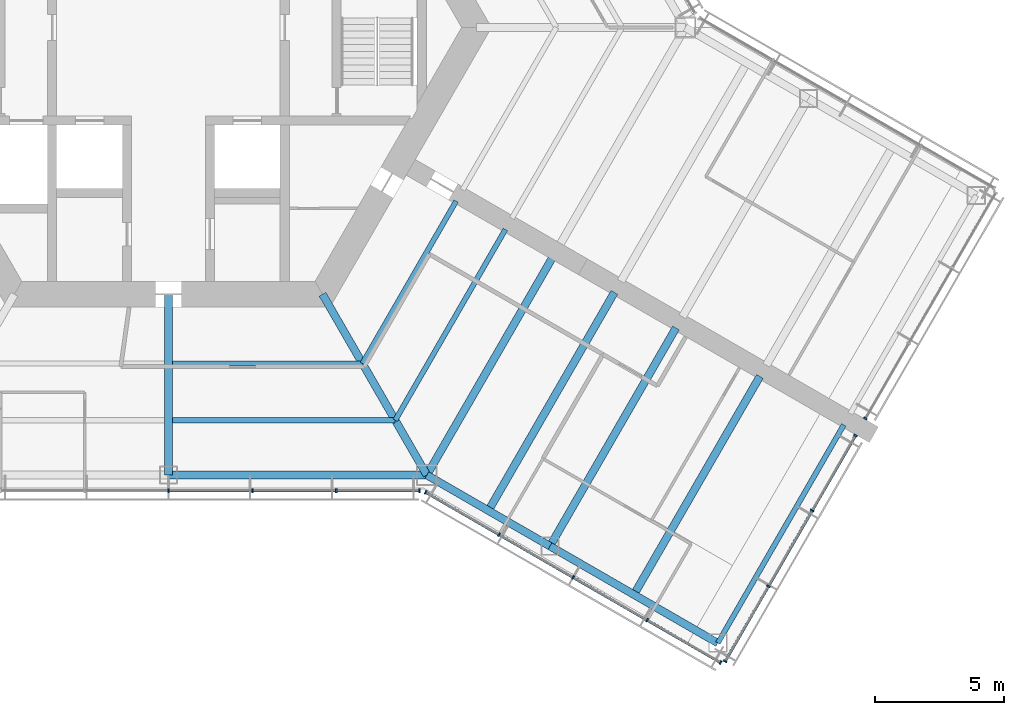
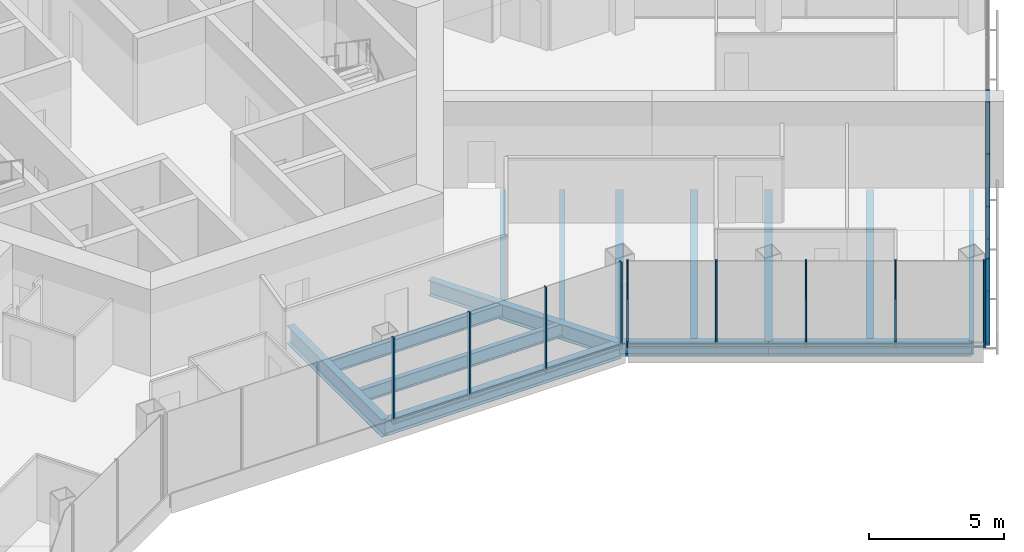
# One storey, part 5 of 18: 24 members, 14 beams, 4 elements without a shape of their own.
"""IFC4 building model written with IfcOpenShell, lengths in metres."""

from ifc_helpers import new_model, si_unit, direction, frame, origin, origin_2d, place, context, subcontext, project, spatial, rectangle, i_section, extrude, material, material_profile, profile_set, type_object, element, aggregate, save


model = new_model("IFC4")

# Units and contexts
model_context = context("Model", 3, precision=1e-05, world=origin(), true_north=direction((0.0, 1.0)))
body_context = subcontext(model_context, "Body", "Model", "MODEL_VIEW")
ifc_project = project(units=[si_unit("LENGTHUNIT", "METRE"), si_unit("AREAUNIT", "SQUARE_METRE"), si_unit("VOLUMEUNIT", "CUBIC_METRE"), si_unit("PLANEANGLEUNIT", "RADIAN"), si_unit("MASSUNIT", "GRAM", prefix="KILO")], contexts=[model_context])

# Site, building, storey
site_placement = place(None, origin())
site = spatial("IfcSite", under=ifc_project, at=site_placement, CompositionType="ELEMENT")
building_placement = place(site_placement, origin())
building = spatial("IfcBuilding", under=site, at=building_placement, Name="Kasaneha Research Tower", CompositionType="ELEMENT")
storey_placement = place(building_placement, frame((0.0, 0.0, 191.60009765625)))
storey = spatial("IfcBuildingStorey", under=building, at=storey_placement, Name="L48", CompositionType="ELEMENT", Elevation=191.60009765625)

# Beams
ifc_material_1 = material(Name="Steel SN490B", Category="steel")
ifc_material_profile_1 = material_profile(ifc_material_1, i_section(OverallWidth=0.199951171875, OverallDepth=0.60009765625, WebThickness=0.010986328125, FlangeThickness=0.01708984375, FilletRadius=0.012939453125, at=origin_2d()), Name="H-600x200x11x17")
ifc_profile_set_1 = profile_set([ifc_material_profile_1], Name="Steel SN490B")
beam_type_1 = type_object("IfcBeamType", Name="B1-3 secondary beam H-600x200x11x17", PredefinedType="JOIST", material=ifc_profile_set_1)
beam_1_placement = place(storey_placement, frame((7.505615234375, -13.0, -0.4501953125), z_axis=(-1.0, 0.0, 0.0), x_axis=(0.0, -1.0, 0.0)))
element("IfcBeam", 1, at=beam_1_placement, inside=storey, type_object=beam_type_1, Name="Secondary beam RS270R1 L48", PredefinedType="JOIST", context=body_context, shape_type="SweptSolid", body=[
    extrude(i_section(OverallWidth=0.199951171875, OverallDepth=0.60009765625, WebThickness=0.010986328125, FlangeThickness=0.01708984375, FilletRadius=0.012939453125, at=origin_2d()), origin(), (0.0, 0.0, 1.0), 7.355712890625),
])
beam_2_placement = place(storey_placement, frame((8.775634765625, -15.199951171875, -0.4501953125), z_axis=(-1.0, 0.0, 0.0), x_axis=(0.0, -1.0, 0.0)))
element("IfcBeam", 2, at=beam_2_placement, inside=storey, type_object=beam_type_1, Name="Secondary beam RS270R2 L48", PredefinedType="JOIST", context=body_context, shape_type="SweptSolid", body=[
    extrude(i_section(OverallWidth=0.199951171875, OverallDepth=0.60009765625, WebThickness=0.010986328125, FlangeThickness=0.01708984375, FilletRadius=0.012939453125, at=origin_2d()), origin(), (0.0, 0.0, 1.0), 8.625732421875),
])
beam_3_placement = place(storey_placement, frame((7.505615234375, -13.0, -0.4501953125), z_axis=(0.499993340521, 0.866029248602, 0.0), x_axis=(-0.866029248602, 0.499993340521, 0.0)))
element("IfcBeam", 3, at=beam_3_placement, inside=storey, type_object=beam_type_1, Name="Secondary beam RS330L1 L48", PredefinedType="JOIST", context=body_context, shape_type="SweptSolid", body=[
    extrude(i_section(OverallWidth=0.199951171875, OverallDepth=0.60009765625, WebThickness=0.010986328125, FlangeThickness=0.01708984375, FilletRadius=0.012939453125, at=origin_2d()), origin(), (0.0, 0.0, 1.0), 7.25537109375),
])
beam_4_placement = place(storey_placement, frame((8.775634765625, -15.199951171875, -0.4501953125), z_axis=(0.500004205306, 0.866022975836, 0.0), x_axis=(-0.866022975836, 0.500004205306, 0.0)))
element("IfcBeam", 4, at=beam_4_placement, inside=storey, type_object=beam_type_1, Name="Secondary beam RS330L2 L48", PredefinedType="JOIST", context=body_context, shape_type="SweptSolid", body=[
    extrude(i_section(OverallWidth=0.199951171875, OverallDepth=0.60009765625, WebThickness=0.010986328125, FlangeThickness=0.01708984375, FilletRadius=0.012939453125, at=origin_2d()), origin(), (0.0, 0.0, 1.0), 8.52587890625),
])
ifc_material_2 = material(Name="Steel SN490B", Category="steel")
ifc_material_profile_2 = material_profile(ifc_material_2, i_section(OverallWidth=0.300048828125, OverallDepth=0.58203125, WebThickness=0.011962890625, FlangeThickness=0.01708984375, FilletRadius=0.012939453125, at=origin_2d()), Name="H-582x300x12x17")
ifc_profile_set_2 = profile_set([ifc_material_profile_2], Name="Steel SN490B")
beam_type_2 = type_object("IfcBeamType", Name="B2-3 secondary beam H-582x300x12x17", PredefinedType="JOIST", material=ifc_profile_set_2)
for number, where, z_axis, x_axis, name in (
    (5, (12.381591796875, -18.695556640625, -0.441162109375), (0.499995560238, 0.866027967067, 0.0), (-0.866027967067, 0.499995560238, 0.0), "Secondary beam WBCP1 L48"),
    (6, (18.0107421875, -21.945556640625, -0.441162109375), (0.499995560238, 0.866027967067, 0.0), (-0.866027967067, 0.499995560238, 0.0), "Secondary beam WBCP2 L48"),
):
    element("IfcBeam", number, at=place(storey_placement, frame(where, z_axis=z_axis, x_axis=x_axis)), inside=storey, type_object=beam_type_2, Name=name, PredefinedType="JOIST", context=body_context, shape_type="SweptSolid", body=[
        extrude(i_section(OverallWidth=0.300048828125, OverallDepth=0.58203125, WebThickness=0.011962890625, FlangeThickness=0.01708984375, FilletRadius=0.012939453125, at=origin_2d()), origin(), (0.0, 0.0, 1.0), 9.75),
    ])

# Curtain wall, members
ifc_material_3 = material(Name="Glass and aluminium", Category="aluminium")
curtain_wall_type = type_object("IfcCurtainWallType", Name="Mid-rise office curtain wall", PredefinedType="USERDEFINED", material=ifc_material_3)
curtain_wall_1_placement = place(storey_placement, origin())
curtain_wall_1 = element("IfcCurtainWall", 7, at=curtain_wall_1_placement, inside=storey, type_object=curtain_wall_type, Name="CW-O2 L48 run 01a", ObjectType="UNITISED CURTAIN WALL", PredefinedType="USERDEFINED")
ifc_material_4 = material(Name="Aluminium 6063-T6", Category="aluminium")
ifc_material_profile_3 = material_profile(ifc_material_4, rectangle(XDim=0.06005859375, YDim=0.14990234375, at=origin_2d()), Name="CW-O2 mullion 60x150")
ifc_profile_set_3 = profile_set([ifc_material_profile_3], Name="Aluminium 6063-T6")
member_type_1 = type_object("IfcMemberType", Name="CW-O2 mullion", PredefinedType="MULLION", material=ifc_profile_set_3)
member_1_placement = place(storey_placement, frame((0.0, -17.92041015625, 0.0), z_axis=(0.0, 0.0, 1.0), x_axis=(1.0, 0.0, 0.0)))
member_1 = element("IfcMember", 8, at=member_1_placement, type_object=member_type_1, Name="CW-O2 mullion 4", PredefinedType="MULLION", context=body_context, shape_type="SweptSolid", body=[
    extrude(rectangle(XDim=0.06005859375, YDim=0.14990234375, at=origin_2d()), origin(), (0.0, 0.0, 1.0), 3.89990234375),
])
member_2_placement = place(storey_placement, frame((3.246337890625, -17.92041015625, 0.0), z_axis=(0.0, 0.0, 1.0), x_axis=(1.0, 0.0, 0.0)))
member_2 = element("IfcMember", 9, at=member_2_placement, type_object=member_type_1, Name="CW-O2 mullion 5", PredefinedType="MULLION", context=body_context, shape_type="SweptSolid", body=[
    extrude(rectangle(XDim=0.06005859375, YDim=0.14990234375, at=origin_2d()), origin(), (0.0, 0.0, 1.0), 3.89990234375),
])
member_3_placement = place(storey_placement, frame((6.492919921875, -17.92041015625, 0.0), z_axis=(0.0, 0.0, 1.0), x_axis=(1.0, 0.0, 0.0)))
member_3 = element("IfcMember", 10, at=member_3_placement, type_object=member_type_1, Name="CW-O2 mullion 6", PredefinedType="MULLION", context=body_context, shape_type="SweptSolid", body=[
    extrude(rectangle(XDim=0.06005859375, YDim=0.14990234375, at=origin_2d()), origin(), (0.0, 0.0, 1.0), 3.89990234375),
])
member_4_placement = place(storey_placement, frame((9.709228515625, -17.92041015625, 0.0), z_axis=(0.0, 0.0, 1.0), x_axis=(1.0, 0.0, 0.0)))
member_4 = element("IfcMember", 11, at=member_4_placement, type_object=member_type_1, Name="CW-O2 mullion 7", PredefinedType="MULLION", context=body_context, shape_type="SweptSolid", body=[
    extrude(rectangle(XDim=0.06005859375, YDim=0.14990234375, at=origin_2d()), origin(), (0.0, 0.0, 1.0), 3.89990234375),
])

curtain_wall_2_placement = place(storey_placement, origin())
curtain_wall_2 = element("IfcCurtainWall", 12, at=curtain_wall_2_placement, inside=storey, type_object=curtain_wall_type, Name="CW-O2 L48 run 02a", ObjectType="UNITISED CURTAIN WALL", PredefinedType="USERDEFINED")
member_5_placement = place(storey_placement, frame((9.951904296875, -17.985595703125, 0.0), z_axis=(0.0, 0.0, 1.0), x_axis=(0.866025411464, -0.499999986699, 0.0)))
member_5 = element("IfcMember", 13, at=member_5_placement, type_object=member_type_1, Name="CW-O2 mullion 1", PredefinedType="MULLION", context=body_context, shape_type="SweptSolid", body=[
    extrude(rectangle(XDim=0.06005859375, YDim=0.14990234375, at=origin_2d()), origin(), (0.0, 0.0, 1.0), 3.89990234375),
])
member_6_placement = place(storey_placement, frame((12.792236328125, -19.62548828125, 0.0), z_axis=(0.0, 0.0, 1.0), x_axis=(0.866025411464, -0.499999986699, 0.0)))
member_6 = element("IfcMember", 14, at=member_6_placement, type_object=member_type_1, Name="CW-O2 mullion 2", PredefinedType="MULLION", context=body_context, shape_type="SweptSolid", body=[
    extrude(rectangle(XDim=0.06005859375, YDim=0.14990234375, at=origin_2d()), origin(), (0.0, 0.0, 1.0), 3.89990234375),
])
member_7_placement = place(storey_placement, frame((15.65869140625, -21.2802734375, 0.0), z_axis=(0.0, 0.0, 1.0), x_axis=(0.866025411464, -0.499999986699, 0.0)))
member_7 = element("IfcMember", 15, at=member_7_placement, type_object=member_type_1, Name="CW-O2 mullion 3", PredefinedType="MULLION", context=body_context, shape_type="SweptSolid", body=[
    extrude(rectangle(XDim=0.06005859375, YDim=0.14990234375, at=origin_2d()), origin(), (0.0, 0.0, 1.0), 3.89990234375),
])
member_8_placement = place(storey_placement, frame((18.52490234375, -22.935302734375, 0.0), z_axis=(0.0, 0.0, 1.0), x_axis=(0.866025411464, -0.499999986699, 0.0)))
member_8 = element("IfcMember", 16, at=member_8_placement, type_object=member_type_1, Name="CW-O2 mullion 4", PredefinedType="MULLION", context=body_context, shape_type="SweptSolid", body=[
    extrude(rectangle(XDim=0.06005859375, YDim=0.14990234375, at=origin_2d()), origin(), (0.0, 0.0, 1.0), 3.89990234375),
])
member_9_placement = place(storey_placement, frame((21.365478515625, -24.5751953125, 0.0), z_axis=(0.0, 0.0, 1.0), x_axis=(0.866025411464, -0.499999986699, 0.0)))
member_9 = element("IfcMember", 17, at=member_9_placement, type_object=member_type_1, Name="CW-O2 mullion 5", PredefinedType="MULLION", context=body_context, shape_type="SweptSolid", body=[
    extrude(rectangle(XDim=0.06005859375, YDim=0.14990234375, at=origin_2d()), origin(), (0.0, 0.0, 1.0), 3.89990234375),
])

curtain_wall_3_placement = place(storey_placement, origin())
curtain_wall_3 = element("IfcCurtainWall", 18, at=curtain_wall_3_placement, inside=storey, type_object=curtain_wall_type, Name="CW-O2 L48 run 03a", ObjectType="UNITISED CURTAIN WALL", PredefinedType="USERDEFINED")
member_10_placement = place(storey_placement, frame((21.54296875, -24.527587890625, 0.0), z_axis=(0.0, 0.0, 1.0), x_axis=(0.500000011442, 0.866025397178, 0.0)))
member_10 = element("IfcMember", 19, at=member_10_placement, type_object=member_type_1, Name="CW-O2 mullion 1", PredefinedType="MULLION", context=body_context, shape_type="SweptSolid", body=[
    extrude(rectangle(XDim=0.06005859375, YDim=0.14990234375, at=origin_2d()), origin(), (0.0, 0.0, 1.0), 3.89990234375),
])
member_11_placement = place(storey_placement, frame((23.2197265625, -21.62353515625, 0.0), z_axis=(0.0, 0.0, 1.0), x_axis=(0.500000011442, 0.866025397178, 0.0)))
member_11 = element("IfcMember", 20, at=member_11_placement, type_object=member_type_1, Name="CW-O2 mullion 2", PredefinedType="MULLION", context=body_context, shape_type="SweptSolid", body=[
    extrude(rectangle(XDim=0.06005859375, YDim=0.14990234375, at=origin_2d()), origin(), (0.0, 0.0, 1.0), 3.89990234375),
])
member_12_placement = place(storey_placement, frame((24.911376953125, -18.693359375, 0.0), z_axis=(0.0, 0.0, 1.0), x_axis=(0.500000011442, 0.866025397178, 0.0)))
member_12 = element("IfcMember", 21, at=member_12_placement, type_object=member_type_1, Name="CW-O2 mullion 3", PredefinedType="MULLION", context=body_context, shape_type="SweptSolid", body=[
    extrude(rectangle(XDim=0.06005859375, YDim=0.14990234375, at=origin_2d()), origin(), (0.0, 0.0, 1.0), 3.89990234375),
])
member_13_placement = place(storey_placement, frame((26.587890625, -15.789306640625, 0.0), z_axis=(0.0, 0.0, 1.0), x_axis=(0.500000011442, 0.866025397178, 0.0)))
member_13 = element("IfcMember", 22, at=member_13_placement, type_object=member_type_1, Name="CW-O2 mullion 4", PredefinedType="MULLION", context=body_context, shape_type="SweptSolid", body=[
    extrude(rectangle(XDim=0.06005859375, YDim=0.14990234375, at=origin_2d()), origin(), (0.0, 0.0, 1.0), 3.89990234375),
])

# Curtain wall, member
curtain_wall_4_placement = place(storey_placement, origin())
curtain_wall_4 = element("IfcCurtainWall", 23, at=curtain_wall_4_placement, inside=storey, type_object=curtain_wall_type, Name="CW-O2 L48 run 04a", ObjectType="UNITISED CURTAIN WALL", PredefinedType="USERDEFINED")
member_14_placement = place(storey_placement, frame((26.968017578125, -15.131103515625, 0.0), z_axis=(0.0, 0.0, 1.0), x_axis=(0.500000011442, 0.866025397178, 0.0)))
member_14 = element("IfcMember", 24, at=member_14_placement, type_object=member_type_1, Name="CW-O2 mullion 1", PredefinedType="MULLION", context=body_context, shape_type="SweptSolid", body=[
    extrude(rectangle(XDim=0.06005859375, YDim=0.14990234375, at=origin_2d()), origin(), (0.0, 0.0, 1.0), 3.89990234375),
])
aggregate(curtain_wall_4, [member_14])

# Member
ifc_material_5 = material(Name="Aluminium 6063-T6", Category="aluminium")
ifc_material_profile_4 = material_profile(ifc_material_5, rectangle(XDim=0.110107421875, YDim=0.06005859375, at=origin_2d()), Name="CW-O2 transom 110x60")
ifc_profile_set_4 = profile_set([ifc_material_profile_4], Name="Aluminium 6063-T6")
member_type_2 = type_object("IfcMemberType", Name="CW-O2 transom", PredefinedType="USERDEFINED", material=ifc_profile_set_4)
member_15_placement = place(storey_placement, frame((0.030029296875, -17.92041015625, 0.02978515625), z_axis=(1.0, 0.0, 0.0), x_axis=(0.0, 1.0, 0.0)))
member_15 = element("IfcMember", 25, at=member_15_placement, type_object=member_type_2, Name="CW-O2 transom 4", ObjectType="TRANSOM", PredefinedType="USERDEFINED", context=body_context, shape_type="SweptSolid", body=[
    extrude(rectangle(XDim=0.110107421875, YDim=0.06005859375, at=origin_2d()), origin(), (0.0, 0.0, 1.0), 3.186279296875),
])

member_16_placement = place(storey_placement, frame((3.2763671875, -17.92041015625, 0.02978515625), z_axis=(1.0, 0.0, 0.0), x_axis=(0.0, 1.0, 0.0)))
member_16 = element("IfcMember", 26, at=member_16_placement, type_object=member_type_2, Name="CW-O2 transom 5", ObjectType="TRANSOM", PredefinedType="USERDEFINED", context=body_context, shape_type="SweptSolid", body=[
    extrude(rectangle(XDim=0.110107421875, YDim=0.06005859375, at=origin_2d()), origin(), (0.0, 0.0, 1.0), 3.1865234375),
])

member_17_placement = place(storey_placement, frame((6.522705078125, -17.92041015625, 0.02978515625), z_axis=(1.0, 0.0, 0.0), x_axis=(0.0, 1.0, 0.0)))
member_17 = element("IfcMember", 27, at=member_17_placement, type_object=member_type_2, Name="CW-O2 transom 6", ObjectType="TRANSOM", PredefinedType="USERDEFINED", context=body_context, shape_type="SweptSolid", body=[
    extrude(rectangle(XDim=0.110107421875, YDim=0.06005859375, at=origin_2d()), origin(), (0.0, 0.0, 1.0), 3.156494140625),
])

aggregate(curtain_wall_1, [member_1, member_2, member_3, member_4, member_15, member_16, member_17])

member_18_placement = place(storey_placement, frame((9.977783203125, -18.00048828125, 0.02978515625), z_axis=(0.866022692473, -0.500004696101, 0.0), x_axis=(0.500004696101, 0.866022692473, 0.0)))
member_18 = element("IfcMember", 28, at=member_18_placement, type_object=member_type_2, Name="CW-O2 transom 1", ObjectType="TRANSOM", PredefinedType="USERDEFINED", context=body_context, shape_type="SweptSolid", body=[
    extrude(rectangle(XDim=0.110107421875, YDim=0.06005859375, at=origin_2d()), origin(), (0.0, 0.0, 1.0), 3.2197265625),
])

member_19_placement = place(storey_placement, frame((12.818115234375, -19.640380859375, 0.02978515625), z_axis=(0.866015446554, -0.500017246033, 0.0), x_axis=(0.500017246033, 0.866015446554, 0.0)))
member_19 = element("IfcMember", 29, at=member_19_placement, type_object=member_type_2, Name="CW-O2 transom 2", ObjectType="TRANSOM", PredefinedType="USERDEFINED", context=body_context, shape_type="SweptSolid", body=[
    extrude(rectangle(XDim=0.110107421875, YDim=0.06005859375, at=origin_2d()), origin(), (0.0, 0.0, 1.0), 3.25),
])

member_20_placement = place(storey_placement, frame((15.6845703125, -21.29541015625, 0.02978515625), z_axis=(0.86604797581, -0.499960902066, 0.0), x_axis=(0.499960902066, 0.86604797581, 0.0)))
member_20 = element("IfcMember", 30, at=member_20_placement, type_object=member_type_2, Name="CW-O2 transom 3", ObjectType="TRANSOM", PredefinedType="USERDEFINED", context=body_context, shape_type="SweptSolid", body=[
    extrude(rectangle(XDim=0.110107421875, YDim=0.06005859375, at=origin_2d()), origin(), (0.0, 0.0, 1.0), 3.249755859375),
])

member_21_placement = place(storey_placement, frame((18.551025390625, -22.9501953125, 0.02978515625), z_axis=(0.866022692473, -0.500004696101, 0.0), x_axis=(0.500004696101, 0.866022692473, 0.0)))
member_21 = element("IfcMember", 31, at=member_21_placement, type_object=member_type_2, Name="CW-O2 transom 4", ObjectType="TRANSOM", PredefinedType="USERDEFINED", context=body_context, shape_type="SweptSolid", body=[
    extrude(rectangle(XDim=0.110107421875, YDim=0.06005859375, at=origin_2d()), origin(), (0.0, 0.0, 1.0), 3.2197265625),
])

aggregate(curtain_wall_2, [member_5, member_6, member_7, member_8, member_9, member_18, member_19, member_20, member_21])

member_22_placement = place(storey_placement, frame((21.557861328125, -24.50146484375, 0.02978515625), z_axis=(0.500021914551, 0.866012751043, 0.0), x_axis=(-0.866012751043, 0.500021914551, 0.0)))
member_22 = element("IfcMember", 32, at=member_22_placement, type_object=member_type_2, Name="CW-O2 transom 1", ObjectType="TRANSOM", PredefinedType="USERDEFINED", context=body_context, shape_type="SweptSolid", body=[
    extrude(rectangle(XDim=0.110107421875, YDim=0.06005859375, at=origin_2d()), origin(), (0.0, 0.0, 1.0), 3.293212890625),
])

member_23_placement = place(storey_placement, frame((23.234619140625, -21.597412109375, 0.02978515625), z_axis=(0.500010745865, 0.866019199568, 0.0), x_axis=(-0.866019199568, 0.500010745865, 0.0)))
member_23 = element("IfcMember", 33, at=member_23_placement, type_object=member_type_2, Name="CW-O2 transom 2", ObjectType="TRANSOM", PredefinedType="USERDEFINED", context=body_context, shape_type="SweptSolid", body=[
    extrude(rectangle(XDim=0.110107421875, YDim=0.06005859375, at=origin_2d()), origin(), (0.0, 0.0, 1.0), 3.3232421875),
])

member_24_placement = place(storey_placement, frame((24.92626953125, -18.66748046875, 0.02978515625), z_axis=(0.500021914551, 0.866012751043, 0.0), x_axis=(-0.866012751043, 0.500021914551, 0.0)))
member_24 = element("IfcMember", 34, at=member_24_placement, type_object=member_type_2, Name="CW-O2 transom 3", ObjectType="TRANSOM", PredefinedType="USERDEFINED", context=body_context, shape_type="SweptSolid", body=[
    extrude(rectangle(XDim=0.110107421875, YDim=0.06005859375, at=origin_2d()), origin(), (0.0, 0.0, 1.0), 3.293212890625),
])

aggregate(curtain_wall_3, [member_10, member_11, member_12, member_13, member_22, member_23, member_24])

# Beams
ifc_material_6 = material(Name="Steel SN490B", Category="steel")
ifc_material_profile_5 = material_profile(ifc_material_6, i_section(OverallWidth=0.300048828125, OverallDepth=0.699951171875, WebThickness=0.012939453125, FlangeThickness=0.02392578125, FilletRadius=0.01806640625, at=origin_2d()), Name="H-700x300x13x24")
ifc_profile_set_5 = profile_set([ifc_material_profile_5], Name="Steel SN490B")
beam_type_3 = type_object("IfcBeamType", Name="G1-3 radial girder H-700x300x13x24", PredefinedType="BEAM", material=ifc_profile_set_5)
beam_5_placement = place(storey_placement, frame((5.961181640625, -10.324951171875, -0.5), z_axis=(0.49999105496, -0.866030568144, 0.0), x_axis=(0.866030568144, 0.49999105496, 0.0)))
element("IfcBeam", 35, at=beam_5_placement, inside=storey, type_object=beam_type_3, Name="Radial girder RV300 L48", PredefinedType="BEAM", context=body_context, shape_type="SweptSolid", body=[
    extrude(i_section(OverallWidth=0.300048828125, OverallDepth=0.699951171875, WebThickness=0.012939453125, FlangeThickness=0.02392578125, FilletRadius=0.01806640625, at=origin_2d()), origin(), (0.0, 0.0, 1.0), 8.077880859375),
])
ifc_material_7 = material(Name="Steel SN490B", Category="steel")
ifc_material_profile_6 = material_profile(ifc_material_7, i_section(OverallWidth=0.300048828125, OverallDepth=0.800048828125, WebThickness=0.013916015625, FlangeThickness=0.02587890625, FilletRadius=0.01806640625, at=origin_2d()), Name="H-800x300x14x26")
ifc_profile_set_6 = profile_set([ifc_material_profile_6], Name="Steel SN490B")
beam_type_4 = type_object("IfcBeamType", Name="G2-3 radial girder H-800x300x14x26", PredefinedType="BEAM", material=ifc_profile_set_6)
beam_6_placement = place(storey_placement, frame((0.0, -10.324951171875, -0.550048828125), z_axis=(0.0, -1.0, 0.0), x_axis=(1.0, 0.0, 0.0)))
element("IfcBeam", 36, at=beam_6_placement, inside=storey, type_object=beam_type_4, Name="Radial girder RM270 L48", PredefinedType="BEAM", context=body_context, shape_type="SweptSolid", body=[
    extrude(i_section(OverallWidth=0.300048828125, OverallDepth=0.800048828125, WebThickness=0.013916015625, FlangeThickness=0.02587890625, FilletRadius=0.01806640625, at=origin_2d()), origin(), (0.0, 0.0, 1.0), 6.99560546875),
])
ifc_material_8 = material(Name="Steel SN490B", Category="steel")
ifc_material_profile_7 = material_profile(ifc_material_8, i_section(OverallWidth=0.300048828125, OverallDepth=0.69189453125, WebThickness=0.012939453125, FlangeThickness=0.02001953125, FilletRadius=0.01806640625, at=origin_2d()), Name="H-692x300x13x20")
ifc_profile_set_7 = profile_set([ifc_material_profile_7], Name="Steel SN490B")
beam_type_5 = type_object("IfcBeamType", Name="G3-3 plate edge girder H-692x300x13x20", PredefinedType="BEAM", material=ifc_profile_set_7)
beam_7_placement = place(storey_placement, frame((10.0, -17.320556640625, -0.49609375), z_axis=(0.499995560238, 0.866027967067, 0.0), x_axis=(-0.866027967067, 0.499995560238, 0.0)))
element("IfcBeam", 37, at=beam_7_placement, inside=storey, type_object=beam_type_5, Name="Plate edge girder PECP L48", PredefinedType="BEAM", context=body_context, shape_type="SweptSolid", body=[
    extrude(i_section(OverallWidth=0.300048828125, OverallDepth=0.69189453125, WebThickness=0.012939453125, FlangeThickness=0.02001953125, FilletRadius=0.01806640625, at=origin_2d()), origin(), (0.0, 0.0, 1.0), 9.75),
])
ifc_material_9 = material(Name="Steel SN490B", Category="steel")
ifc_material_profile_8 = material_profile(ifc_material_9, i_section(OverallWidth=0.300048828125, OverallDepth=0.699951171875, WebThickness=0.012939453125, FlangeThickness=0.02392578125, FilletRadius=0.01806640625, at=origin_2d()), Name="H-700x300x13x24")
ifc_profile_set_8 = profile_set([ifc_material_profile_8], Name="Steel SN490B")
beam_type_6 = type_object("IfcBeamType", Name="G4-3 wing girder H-700x300x13x24", PredefinedType="BEAM", material=ifc_profile_set_8)
beam_8_placement = place(storey_placement, frame((14.76318359375, -20.070556640625, -0.5), z_axis=(0.499995560238, 0.866027967067, 0.0), x_axis=(-0.866027967067, 0.499995560238, 0.0)))
element("IfcBeam", 38, at=beam_8_placement, inside=storey, type_object=beam_type_6, Name="Wing girder WGCP L48", PredefinedType="BEAM", context=body_context, shape_type="SweptSolid", body=[
    extrude(i_section(OverallWidth=0.300048828125, OverallDepth=0.699951171875, WebThickness=0.012939453125, FlangeThickness=0.02392578125, FilletRadius=0.01806640625, at=origin_2d()), origin(), (0.0, 0.0, 1.0), 9.75),
])
ifc_material_10 = material(Name="Steel SN490B", Category="steel")
ifc_material_profile_9 = material_profile(ifc_material_10, i_section(OverallWidth=0.300048828125, OverallDepth=0.69189453125, WebThickness=0.012939453125, FlangeThickness=0.02001953125, FilletRadius=0.01806640625, at=origin_2d()), Name="H-692x300x13x20")
ifc_profile_set_9 = profile_set([ifc_material_profile_9], Name="Steel SN490B")
beam_type_7 = type_object("IfcBeamType", Name="SB1-3 spandrel beam H-692x300x13x20", PredefinedType="SPANDREL", material=ifc_profile_set_9)
beam_9_placement = place(storey_placement, frame((10.0, -17.320556640625, -0.49609375), z_axis=(-1.0, 0.0, 0.0), x_axis=(0.0, -1.0, 0.0)))
element("IfcBeam", 39, at=beam_9_placement, inside=storey, type_object=beam_type_7, Name="Spandrel beam SR270R L48", PredefinedType="SPANDREL", context=body_context, shape_type="SweptSolid", body=[
    extrude(i_section(OverallWidth=0.300048828125, OverallDepth=0.69189453125, WebThickness=0.012939453125, FlangeThickness=0.02001953125, FilletRadius=0.01806640625, at=origin_2d()), origin(), (0.0, 0.0, 1.0), 10.0),
])
ifc_material_11 = material(Name="Steel SN490B", Category="steel")
ifc_material_profile_10 = material_profile(ifc_material_11, i_section(OverallWidth=0.300048828125, OverallDepth=0.58203125, WebThickness=0.011962890625, FlangeThickness=0.01708984375, FilletRadius=0.012939453125, at=origin_2d()), Name="H-582x300x12x17")
ifc_profile_set_10 = profile_set([ifc_material_profile_10], Name="Steel SN490B")
beam_type_8 = type_object("IfcBeamType", Name="SB2-3 spandrel beam H-582x300x12x17", PredefinedType="SPANDREL", material=ifc_profile_set_10)
beam_10_placement = place(storey_placement, frame((10.0, -17.320556640625, -0.441162109375), z_axis=(0.866027397988, -0.499996545922, 0.0), x_axis=(0.499996545922, 0.866027397988, 0.0)))
element("IfcBeam", 40, at=beam_10_placement, inside=storey, type_object=beam_type_8, Name="Spandrel beam WSCP1 L48", PredefinedType="SPANDREL", context=body_context, shape_type="SweptSolid", body=[
    extrude(i_section(OverallWidth=0.300048828125, OverallDepth=0.58203125, WebThickness=0.011962890625, FlangeThickness=0.01708984375, FilletRadius=0.012939453125, at=origin_2d()), origin(), (0.0, 0.0, 1.0), 5.5),
])
beam_11_placement = place(storey_placement, frame((14.76318359375, -20.070556640625, -0.441162109375), z_axis=(0.866022959057, -0.500004234368, 0.0), x_axis=(0.500004234368, 0.866022959057, 0.0)))
element("IfcBeam", 41, at=beam_11_placement, inside=storey, type_object=beam_type_8, Name="Spandrel beam WSCP2 L48", PredefinedType="SPANDREL", context=body_context, shape_type="SweptSolid", body=[
    extrude(i_section(OverallWidth=0.300048828125, OverallDepth=0.58203125, WebThickness=0.011962890625, FlangeThickness=0.01708984375, FilletRadius=0.012939453125, at=origin_2d()), origin(), (0.0, 0.0, 1.0), 7.5),
])
ifc_material_12 = material(Name="Steel SN490B", Category="steel")
ifc_material_profile_11 = material_profile(ifc_material_12, i_section(OverallWidth=0.199951171875, OverallDepth=0.60009765625, WebThickness=0.010986328125, FlangeThickness=0.01708984375, FilletRadius=0.012939453125, at=origin_2d()), Name="H-600x200x11x17")
ifc_profile_set_11 = profile_set([ifc_material_profile_11], Name="Steel SN490B")
beam_type_9 = type_object("IfcBeamType", Name="SB3-3 spandrel beam H-600x200x11x17", PredefinedType="SPANDREL", material=ifc_profile_set_11)
beam_12_placement = place(storey_placement, frame((21.25830078125, -23.820556640625, -0.4501953125), z_axis=(0.499995560238, 0.866027967067, 0.0), x_axis=(-0.866027967067, 0.499995560238, 0.0)))
element("IfcBeam", 42, at=beam_12_placement, inside=storey, type_object=beam_type_9, Name="Spandrel beam WTCP L48", PredefinedType="SPANDREL", context=body_context, shape_type="SweptSolid", body=[
    extrude(i_section(OverallWidth=0.199951171875, OverallDepth=0.60009765625, WebThickness=0.010986328125, FlangeThickness=0.01708984375, FilletRadius=0.012939453125, at=origin_2d()), origin(), (0.0, 0.0, 1.0), 9.75),
])

save(model, "model.ifc")
